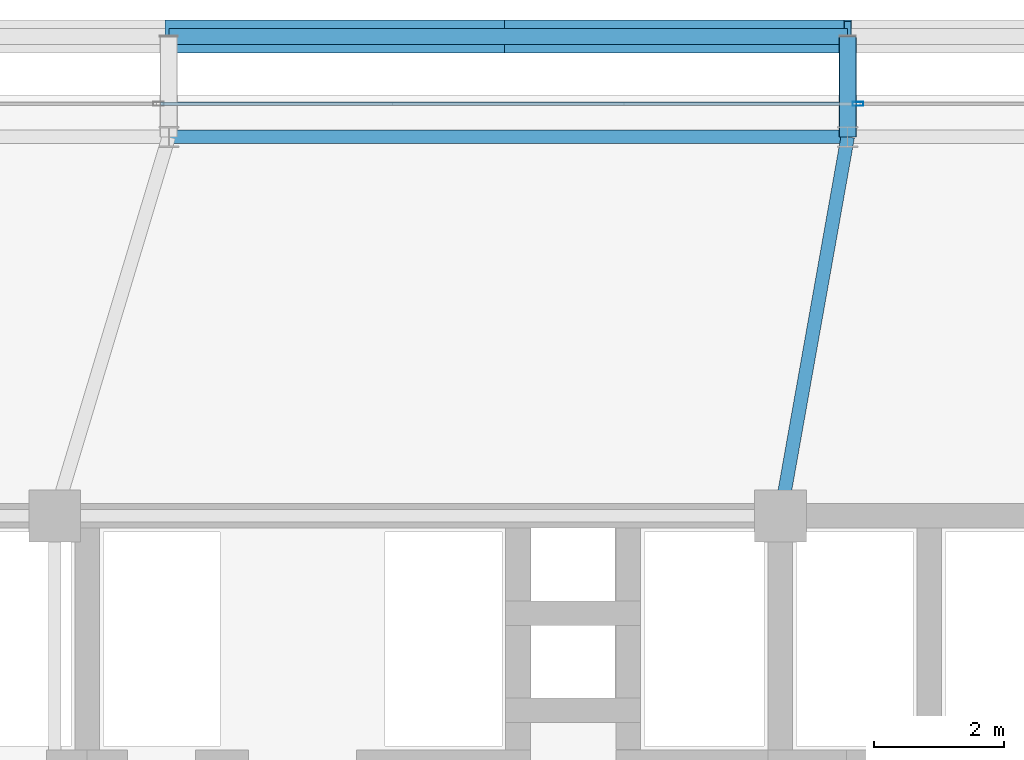
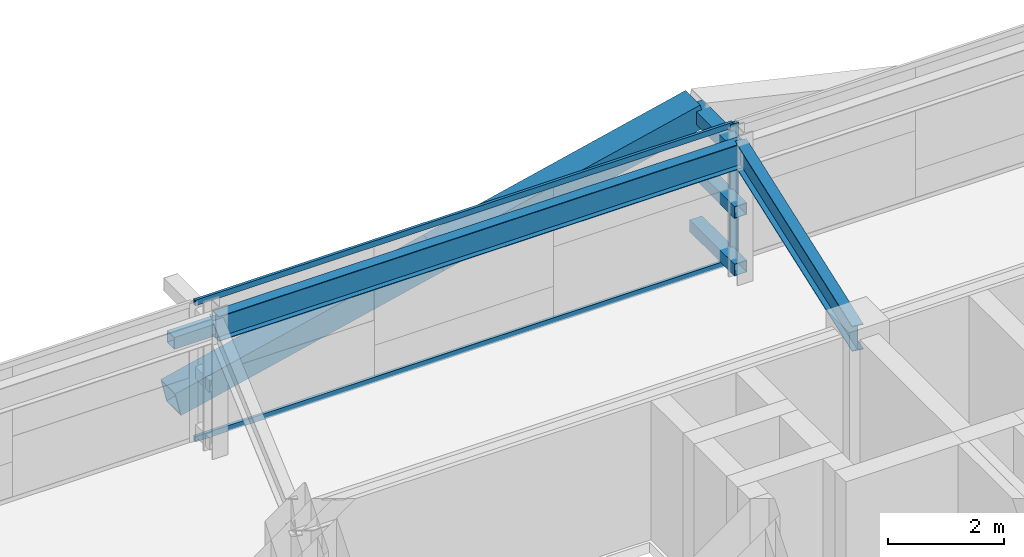
# One storey, part 25 of 44: 9 members, 2 beams, 1 element without a shape of its own.
"""IFC4 building model written with IfcOpenShell, lengths in metres."""

import ifcopenshell
import ifcopenshell.guid

model = None  # the IFC model being written
_history = None  # IfcOwnerHistory: only IFC2X3 demands one
_inside = {}  # id of a spatial element -> (the spatial element, [elements in it])
_under = {}  # id of a project, library or spatial element -> (it, [spatial elements below it])
_declared = {}  # id of a project -> (the project, [libraries it declares])
_typed = {}  # id of a type object -> (the type object, [elements of that type])
_made_of = {}  # id of a material, layer set ... -> (it, [elements and type objects made of it])


def new_model(schema):
    """Start an empty IFC model of exactly this schema.

    Asked for "IFC4X3", IfcOpenShell would pick the latest addendum, in which some entities
    have other attributes; the version numbers below select the first issue.
    IFC2X3 requires an IfcOwnerHistory on every rooted entity: one is made here for all.
    """
    global model, _history
    if schema == "IFC4X3":
        model = ifcopenshell.file(schema_version=(4, 3, 0, 0))
    else:
        model = ifcopenshell.file(schema=schema)
    _inside.clear()
    _under.clear()
    _declared.clear()
    _typed.clear()
    _made_of.clear()
    _history = None
    if model.schema == "IFC2X3":
        org = make("IfcOrganization", Name="unknown")
        user = make(
            "IfcPersonAndOrganization",
            ThePerson=make("IfcPerson", FamilyName="unknown"),
            TheOrganization=org,
        )
        app = make(
            "IfcApplication",
            ApplicationDeveloper=org,
            Version="unknown",
            ApplicationFullName="unknown",
            ApplicationIdentifier="unknown",
        )
        _history = make(
            "IfcOwnerHistory",
            OwningUser=user,
            OwningApplication=app,
            ChangeAction="ADDED",
            CreationDate=0,
        )
    return model


def make(cls, **values):
    """One entity of the class cls with the attributes given. An attribute that is None is left unset."""
    return model.create_entity(
        cls, **{name: value for name, value in values.items() if value is not None}
    )


def rooted(cls, **values):
    """An entity with a GlobalId (a new one), such as an element, a storey or a relation."""
    return make(cls, GlobalId=ifcopenshell.guid.new(), OwnerHistory=_history, **values)


def si_unit(unit_type, name, prefix=None):
    """IfcSIUnit, for example si_unit("LENGTHUNIT", "METRE", prefix="MILLI")."""
    return make("IfcSIUnit", UnitType=unit_type, Prefix=prefix, Name=name)


def assignment(units):
    """IfcUnitAssignment: the units of a project."""
    return None if units is None else make("IfcUnitAssignment", Units=units)


def point(xyz):
    """IfcCartesianPoint."""
    return None if xyz is None else make("IfcCartesianPoint", Coordinates=xyz)


def direction(xyz):
    """IfcDirection."""
    return None if xyz is None else make("IfcDirection", DirectionRatios=xyz)


def frame(location, z_axis=None, x_axis=None):
    """IfcAxis2Placement3D, a coordinate frame: its origin and axes. An axis left out is left unset."""
    return make(
        "IfcAxis2Placement3D",
        Location=point(location),
        Axis=direction(z_axis),
        RefDirection=direction(x_axis),
    )


def frame_2d(location, x_axis=None):
    """IfcAxis2Placement2D, a coordinate frame in the plane: its origin and x axis."""
    return make(
        "IfcAxis2Placement2D", Location=point(location), RefDirection=direction(x_axis)
    )


def origin():
    """The frame at (0, 0, 0) with its axes left unset."""
    return frame((0.0, 0.0, 0.0))


def origin_2d():
    """The frame at (0, 0) in the plane with its x axis left unset."""
    return frame_2d((0.0, 0.0))


def place(relative_to, where):
    """IfcLocalPlacement: puts the frame where relative to a parent placement (None: the world)."""
    return make(
        "IfcLocalPlacement", PlacementRelTo=relative_to, RelativePlacement=where
    )


def context(
    kind, dimensions, precision=None, world=None, true_north=None, identifier=None
):
    """IfcGeometricRepresentationContext, for example the 3D "Model" context."""
    return make(
        "IfcGeometricRepresentationContext",
        ContextIdentifier=identifier,
        ContextType=kind,
        CoordinateSpaceDimension=dimensions,
        Precision=precision,
        WorldCoordinateSystem=world,
        TrueNorth=true_north,
    )


def subcontext(parent, identifier, kind, view, scale=None):
    """IfcGeometricRepresentationSubContext, for example "Body" below "Model"."""
    return make(
        "IfcGeometricRepresentationSubContext",
        ContextIdentifier=identifier,
        ContextType=kind,
        ParentContext=parent,
        TargetScale=scale,
        TargetView=view,
    )


def project(units=None, contexts=None):
    """IfcProject with its units and contexts."""
    return rooted(
        "IfcProject",
        Name="project",
        RepresentationContexts=contexts,
        UnitsInContext=assignment(units),
    )


def spatial(cls, under=None, at=None, **own):
    """A site, building, storey or space (cls), placed at a placement, below another one or the project."""
    s = rooted(cls, ObjectPlacement=at, **own)
    if under is not None:
        _under.setdefault(under.id(), (under, []))[1].append(s)
    return s


def profile(cls, at=None, kind="AREA", **sizes):
    """A parametric profile (cls). Its sizes go by their IFC names, for example OverallWidth=200.0."""
    return make(cls, ProfileType=kind, Position=at, **sizes)


def hollow_rectangle(**sizes):
    """IfcRectangleHollowProfileDef."""
    return profile("IfcRectangleHollowProfileDef", **sizes)


def i_section(**sizes):
    """IfcIShapeProfileDef."""
    return profile("IfcIShapeProfileDef", **sizes)


def extrude(swept, where, along, depth):
    """IfcExtrudedAreaSolid: the profile swept, set in the frame where, extruded along a direction by depth."""
    return make(
        "IfcExtrudedAreaSolid",
        SweptArea=swept,
        Position=where,
        ExtrudedDirection=direction(along),
        Depth=depth,
    )


def shape(context_of_items, identifier, shape_type, items):
    """IfcShapeRepresentation: the items that make up one representation, for example the "Body"."""
    return make(
        "IfcShapeRepresentation",
        ContextOfItems=context_of_items,
        RepresentationIdentifier=identifier,
        RepresentationType=shape_type,
        Items=items,
    )


def source(mapping_origin, context_of_items, identifier, shape_type, items):
    """IfcRepresentationMap: a shape defined once, which mapped items show again and again."""
    return make(
        "IfcRepresentationMap",
        MappingOrigin=mapping_origin,
        MappedRepresentation=shape(context_of_items, identifier, shape_type, items),
    )


def transform(
    local_origin,
    x_axis=None,
    y_axis=None,
    z_axis=None,
    scale=None,
    scale2=None,
    scale3=None,
    uniform=True,
):
    """IfcCartesianTransformationOperator3D, or its non-uniform kind. x_axis, y_axis, z_axis: its Axis1, 2, 3."""
    if uniform:
        return make(
            "IfcCartesianTransformationOperator3D",
            Axis1=direction(x_axis),
            Axis2=direction(y_axis),
            LocalOrigin=point(local_origin),
            Scale=scale,
            Axis3=direction(z_axis),
        )
    return make(
        "IfcCartesianTransformationOperator3DnonUniform",
        Axis1=direction(x_axis),
        Axis2=direction(y_axis),
        LocalOrigin=point(local_origin),
        Scale=scale,
        Axis3=direction(z_axis),
        Scale2=scale2,
        Scale3=scale3,
    )


def mapped(mapping_source, mapping_target):
    """IfcMappedItem: shows the shape of a source again, moved by a transform."""
    return make(
        "IfcMappedItem", MappingSource=mapping_source, MappingTarget=mapping_target
    )


def material(Name=None, Category=None):
    """IfcMaterial."""
    return make("IfcMaterial", Name=Name, Category=Category)


def layer(
    of_material, thickness, ventilated=None, Name=None, Category=None, Priority=None
):
    """IfcMaterialLayer: one layer of a wall or slab, of a material (None: an air gap)."""
    return make(
        "IfcMaterialLayer",
        Material=of_material,
        LayerThickness=thickness,
        IsVentilated=ventilated,
        Name=Name,
        Category=Category,
        Priority=Priority,
    )


def layer_set(layers, Name=None):
    """IfcMaterialLayerSet."""
    return make("IfcMaterialLayerSet", MaterialLayers=layers, LayerSetName=Name)


def material_profile(
    of_material, cross_section, Name=None, Category=None, Priority=None
):
    """IfcMaterialProfile: a cross section and its material."""
    return make(
        "IfcMaterialProfile",
        Name=Name,
        Material=of_material,
        Profile=cross_section,
        Priority=Priority,
        Category=Category,
    )


def profile_set(profiles, Name=None, composite=None):
    """IfcMaterialProfileSet."""
    return make(
        "IfcMaterialProfileSet",
        Name=Name,
        MaterialProfiles=profiles,
        CompositeProfile=composite,
    )


def made_of(thing, what):
    """Note that an element or type object is made of a material, layer set ...; save() writes the relation."""
    if what is not None:
        _made_of.setdefault(what.id(), (what, []))[1].append(thing)
    return thing


def type_object(cls, material=None, **own):
    """A type object (cls), such as IfcWallType, which elements share."""
    return made_of(rooted(cls, **own), material)


def element(
    cls,
    number,
    at=None,
    inside=None,
    cuts=None,
    type_object=None,
    material=None,
    context=None,
    identifier="Body",
    shape_type=None,
    held_by="IfcProductDefinitionShape",
    body=None,
    shapes=None,
    **own,
):
    """One element of the class cls, such as IfcWall. Its Tag is "e" and its number.

    at: its placement. inside: the storey or other place that contains it. cuts: it is an
    opening in that element (IfcRelVoidsElement). A single representation is given by context,
    identifier, shape_type and body (its items); several are given by shapes. held_by: the class
    of the entity that holds the representations. save() writes the other relations.
    """
    e = rooted(cls, Tag="e%d" % number, ObjectPlacement=at, **own)
    if body is not None:
        shapes = [shape(context, identifier, shape_type, body)]
    if shapes is not None:
        e.Representation = make(held_by, Representations=shapes)
    if inside is not None:
        _inside.setdefault(inside.id(), (inside, []))[1].append(e)
    if cuts is not None:
        rooted(
            "IfcRelVoidsElement", RelatingBuildingElement=cuts, RelatedOpeningElement=e
        )
    if type_object is not None:
        _typed.setdefault(type_object.id(), (type_object, []))[1].append(e)
    return made_of(e, material)


def aggregate(whole, parts):
    """IfcRelAggregates: a whole, such as a stair, and the parts it consists of."""
    return rooted("IfcRelAggregates", RelatingObject=whole, RelatedObjects=parts)


def save(model, path):
    """Write the relations noted so far, then the file.

    IfcRelAggregates (storeys below a building ...), IfcRelContainedInSpatialStructure (elements
    in a storey), IfcRelDefinesByType, IfcRelAssociatesMaterial and IfcRelDeclares: one each for
    every whole, place, type object, material and project.
    """
    for whole, parts in _under.values():
        aggregate(whole, parts)
    for where, things in _inside.values():
        rooted(
            "IfcRelContainedInSpatialStructure",
            RelatedElements=things,
            RelatingStructure=where,
        )
    for kind, things in _typed.values():
        rooted("IfcRelDefinesByType", RelatedObjects=things, RelatingType=kind)
    for what, things in _made_of.values():
        rooted("IfcRelAssociatesMaterial", RelatedObjects=things, RelatingMaterial=what)
    for by, libraries in _declared.values():
        rooted("IfcRelDeclares", RelatingContext=by, RelatedDefinitions=libraries)
    model.write(path)


model = new_model("IFC4")

# Units and contexts
model_context = context("Model", 3, precision=1e-05, world=origin(), true_north=direction((0.0, 1.0)))
body_context = subcontext(model_context, "Body", "Model", "MODEL_VIEW")
ifc_project = project(units=[si_unit("LENGTHUNIT", "METRE"), si_unit("AREAUNIT", "SQUARE_METRE"), si_unit("VOLUMEUNIT", "CUBIC_METRE"), si_unit("PLANEANGLEUNIT", "RADIAN"), si_unit("MASSUNIT", "GRAM", prefix="KILO")], contexts=[model_context])

# Site, building, storey
site_placement = place(None, origin())
site = spatial("IfcSite", under=ifc_project, at=site_placement, CompositionType="ELEMENT")
building_placement = place(site_placement, origin())
building = spatial("IfcBuilding", under=site, at=building_placement, Name="Taldren Reach Tower", CompositionType="ELEMENT")
storey_placement = place(building_placement, frame((0.0, 0.0, 42.0)))
storey = spatial("IfcBuildingStorey", under=building, at=storey_placement, Name="L12", CompositionType="ELEMENT", Elevation=42.0)

# Beams
ifc_material_1 = material(Name="Steel Gr 350 (350PLUS)", Category="steel")
ifc_material_profile_1 = material_profile(ifc_material_1, i_section(OverallWidth=0.208984375, OverallDepth=0.528076171875, WebThickness=0.009521484375, FlangeThickness=0.01318359375, at=origin_2d()), Name="530UB82.0")
ifc_profile_set_1 = profile_set([ifc_material_profile_1], Name="Steel Gr 350 (350PLUS)")
beam_type_1 = type_object("IfcBeamType", Name="SP-UB530B", PredefinedType="SPANDREL", material=ifc_profile_set_1)
shared_shape_1 = source(origin(), body_context, "Body", "SweptSolid", [
    extrude(i_section(OverallWidth=0.208984375, OverallDepth=0.528076171875, WebThickness=0.009521484375, FlangeThickness=0.01318359375, at=origin_2d()), origin(), (0.0, 0.0, 1.0), 10.47998046875),
])
beam_1_placement = place(storey_placement, frame((40.239990234375, 37.85009765625, 2.666015625), z_axis=(-1.0, 0.0, 0.0), x_axis=(0.0, -1.0, 0.0)))
element("IfcBeam", 1, at=beam_1_placement, inside=storey, type_object=beam_type_1, Name="Perimeter spandrel B1 N4-N3 L12", PredefinedType="SPANDREL", context=body_context, shape_type="MappedRepresentation", body=[
    mapped(shared_shape_1, transform((0.0, 0.0, 0.0), scale=1.0)),
])
ifc_material_profile_2 = material_profile(ifc_material_1, i_section(OverallWidth=0.208984375, OverallDepth=0.532958984375, WebThickness=0.01025390625, FlangeThickness=0.015625, at=origin_2d()), Name="530UB92.4")
ifc_profile_set_2 = profile_set([ifc_material_profile_2], Name="Steel Gr 350 (350PLUS)")
beam_type_2 = type_object("IfcBeamType", Name="BM-UB530A", PredefinedType="BEAM", material=ifc_profile_set_2)
shared_shape_2 = source(origin(), body_context, "Body", "SweptSolid", [
    extrude(i_section(OverallWidth=0.208984375, OverallDepth=0.532958984375, WebThickness=0.01025390625, FlangeThickness=0.015625, at=origin_2d()), origin(), (0.0, 0.0, 1.0), 5.94189453125),
])
beam_2_placement = place(storey_placement, frame((39.199951171875, 32.0, 2.66357421875), z_axis=(0.17503687513, 0.984561878373, 0.0), x_axis=(-0.984561878373, 0.17503687513, 0.0)))
element("IfcBeam", 2, at=beam_2_placement, inside=storey, type_object=beam_type_2, Name="Primary floor girder B1-N4 L12", PredefinedType="BEAM", context=body_context, shape_type="MappedRepresentation", body=[
    mapped(shared_shape_2, transform((0.0, 0.0, 0.0), scale=1.0)),
])

# Members
ifc_material_2 = material(Name="Steel Gr 450 (C450L0)", Category="steel")
ifc_material_profile_3 = material_profile(ifc_material_2, hollow_rectangle(XDim=0.27490234375, YDim=0.27490234375, WallThickness=0.00927734375, at=origin_2d()), Name="275x275x9.3SHS")
ifc_profile_set_3 = profile_set([ifc_material_profile_3], Name="Steel Gr 450 (C450L0)")
member_type_1 = type_object("IfcMemberType", Name="MB-TIE273", PredefinedType="STRUT", material=ifc_profile_set_3)
shared_shape_3 = source(origin(), body_context, "Body", "SweptSolid", [
    extrude(hollow_rectangle(XDim=0.27490234375, YDim=0.27490234375, WallThickness=0.00927734375, at=origin_2d()), origin(), (0.0, 0.0, 1.0), 1.5498046875),
])
member_1_placement = place(storey_placement, frame((40.239990234375, 37.85009765625, 2.64990234375), z_axis=(0.0, 1.0, 0.0), x_axis=(-1.0, 0.0, 0.0)))
element("IfcMember", 3, at=member_1_placement, inside=storey, type_object=member_type_1, Name="Exoskeleton diaphragm tie strut B1-N4 L12", PredefinedType="STRUT", context=body_context, shape_type="MappedRepresentation", body=[
    mapped(shared_shape_3, transform((0.0, 0.0, 0.0), scale=1.0)),
])
ifc_material_profile_4 = material_profile(ifc_material_2, hollow_rectangle(XDim=0.510009765625, YDim=0.510009765625, WallThickness=0.02001953125, at=origin_2d()), Name="510x510x20.0SHS")
ifc_profile_set_4 = profile_set([ifc_material_profile_4], Name="Steel Gr 450 (C450L0)")
member_type_2 = type_object("IfcMemberType", Name="MB-EXO508", PredefinedType="BRACE", material=ifc_profile_set_4)
shared_shape_4 = source(origin(), body_context, "Body", "SweptSolid", [
    extrude(hollow_rectangle(XDim=0.510009765625, YDim=0.510009765625, WallThickness=0.02001953125, at=origin_2d()), origin(), (0.0, 0.0, 1.0), 5.37890625),
])
for number, where, z_axis, x_axis, name in (
    (4, (29.760009765625, 39.39990234375, 0.219970703125), (0.97415197996, 0.0, 0.225893603143), (0.0, 1.0, 0.0), "Exoskeleton Diagrid Brace B1-N3 L12"),
    (5, (35.0, 39.39990234375, 1.43505859375), (0.974161966843, 0.0, 0.225850531007), (0.0, 1.0, 0.0), "Exoskeleton Diagrid Brace B1-N3 L12"),
):
    element("IfcMember", number, at=place(storey_placement, frame(where, z_axis=z_axis, x_axis=x_axis)), inside=storey, type_object=member_type_2, Name=name, PredefinedType="BRACE", context=body_context, shape_type="MappedRepresentation", body=[
        mapped(shared_shape_4, transform((0.0, 0.0, 0.0), scale=1.0)),
    ])
ifc_material_3 = material(Name="Steel Gr 350 (C350L0)", Category="steel")
ifc_material_profile_5 = material_profile(ifc_material_3, hollow_rectangle(XDim=0.25, YDim=0.25, WallThickness=0.010009765625, at=origin_2d()), Name="250x250x10.0SHS")
ifc_profile_set_5 = profile_set([ifc_material_profile_5], Name="Steel Gr 350 (C350L0)")
member_type_3 = type_object("IfcMemberType", Name="MB-POST250", PredefinedType="POST", material=ifc_profile_set_5)
shared_shape_5 = source(origin(), body_context, "Body", "SweptSolid", [
    extrude(hollow_rectangle(XDim=0.25, YDim=0.25, WallThickness=0.010009765625, at=origin_2d()), origin(), (0.0, 0.0, 1.0), 10.47998046875),
])
member_2_placement = place(storey_placement, frame((29.760009765625, 39.39990234375, 1.43505859375), z_axis=(1.0, 0.0, 0.0), x_axis=(0.0, 1.0, 0.0)))
element("IfcMember", 6, at=member_2_placement, inside=storey, type_object=member_type_3, Name="Exoskeleton mid-height ring chord B1-N3 L12", PredefinedType="POST", context=body_context, shape_type="MappedRepresentation", body=[
    mapped(shared_shape_5, transform((0.0, 0.0, 0.0), scale=1.0)),
])
shared_shape_6 = source(origin(), body_context, "Body", "SweptSolid", [
    extrude(hollow_rectangle(XDim=0.25, YDim=0.25, WallThickness=0.010009765625, at=origin_2d()), origin(), (0.0, 0.0, 1.0), 1.5498046875),
])
for number, where, z_axis, x_axis, name in (
    (7, (40.239990234375, 37.85009765625, 0.219970703125), (0.0, 1.0, 0.0), (-1.0, 0.0, 0.0), "Exoskeleton base diaphragm tie strut B1-N4 L12"),
    (8, (40.239990234375, 37.85009765625, 1.43505859375), (0.0, 1.0, 0.0), (-1.0, 0.0, 0.0), "Exoskeleton mid-tier diaphragm tie B1-N4 L12"),
):
    element("IfcMember", number, at=place(storey_placement, frame(where, z_axis=z_axis, x_axis=x_axis)), inside=storey, type_object=member_type_3, Name=name, PredefinedType="POST", context=body_context, shape_type="MappedRepresentation", body=[
        mapped(shared_shape_6, transform((0.0, 0.0, 0.0), scale=1.0)),
    ])

# Curtain wall, members
ifc_material_4 = material(Name="Aluminium and Low-E Glass Unitised System", Category="aluminium")
ifc_layer = layer(ifc_material_4, 0.159912109375)
ifc_layer_set = layer_set([ifc_layer], Name="Aluminium and Low-E Glass Unitised System")
curtain_wall_type = type_object("IfcCurtainWallType", Name="CW-SYS-2", PredefinedType="NOTDEFINED", material=ifc_layer_set)
curtain_wall_placement = place(storey_placement, origin())
curtain_wall = element("IfcCurtainWall", 9, at=curtain_wall_placement, inside=storey, type_object=curtain_wall_type, Name="Unitised curtain wall CW-L12-N", PredefinedType="NOTDEFINED")
ifc_material_5 = material(Name="Anodised Aluminium 6063-T6", Category="aluminium")
ifc_material_profile_6 = material_profile(ifc_material_5, hollow_rectangle(XDim=0.06494140625, YDim=0.1650390625, WallThickness=0.00390625, at=origin_2d()), Name="ALU-165x65x4RHS")
ifc_profile_set_6 = profile_set([ifc_material_profile_6], Name="Anodised Aluminium 6063-T6")
member_type_4 = type_object("IfcMemberType", Name="CW-MUL-165", PredefinedType="MULLION", material=ifc_profile_set_6)
shared_shape_7 = source(origin(), body_context, "Body", "SweptSolid", [
    extrude(hollow_rectangle(XDim=0.06494140625, YDim=0.1650390625, WallThickness=0.00390625, at=origin_2d()), origin(), (0.0, 0.0, 1.0), 2.929931640625),
])
member_3_placement = place(storey_placement, frame((40.39990234375, 38.360107421875, 0.0), z_axis=(0.0, 0.0, 1.0), x_axis=(0.0, -1.0, 0.0)))
member_3 = element("IfcMember", 10, at=member_3_placement, type_object=member_type_4, Name="CW-2 mullion 3", PredefinedType="MULLION", context=body_context, shape_type="MappedRepresentation", body=[
    mapped(shared_shape_7, transform((0.0, 0.0, 0.0), scale=1.0)),
])
ifc_material_profile_7 = material_profile(ifc_material_5, hollow_rectangle(XDim=0.054931640625, YDim=0.1201171875, WallThickness=0.0029296875, at=origin_2d()), Name="ALU-120x55x3RHS")
ifc_profile_set_7 = profile_set([ifc_material_profile_7], Name="Anodised Aluminium 6063-T6")
member_type_5 = type_object("IfcMemberType", Name="CW-TRN-135", PredefinedType="USERDEFINED", material=ifc_profile_set_7)
shared_shape_8 = source(origin(), body_context, "Body", "SweptSolid", [
    extrude(hollow_rectangle(XDim=0.054931640625, YDim=0.1201171875, WallThickness=0.0029296875, at=origin_2d()), origin(), (0.0, 0.0, 1.0), 10.73486328125),
])
member_4_placement = place(storey_placement, frame((40.367431640625, 38.360107421875, 0.027587890625), z_axis=(-1.0, 0.0, 0.0), x_axis=(0.0, -1.0, 0.0)))
member_4 = element("IfcMember", 11, at=member_4_placement, type_object=member_type_5, Name="CW-2 transom 3.1", ObjectType="TRANSOM", PredefinedType="USERDEFINED", context=body_context, shape_type="MappedRepresentation", body=[
    mapped(shared_shape_8, transform((0.0, 0.0, 0.0), scale=1.0)),
])
member_5_placement = place(storey_placement, frame((40.367431640625, 38.360107421875, 2.902587890625), z_axis=(-1.0, 0.0, 0.0), x_axis=(0.0, -1.0, 0.0)))
member_5 = element("IfcMember", 12, at=member_5_placement, type_object=member_type_5, Name="CW-2 transom 3.2", ObjectType="TRANSOM", PredefinedType="USERDEFINED", context=body_context, shape_type="MappedRepresentation", body=[
    mapped(shared_shape_8, transform((0.0, 0.0, 0.0), scale=1.0)),
])
aggregate(curtain_wall, [member_3, member_4, member_5])

save(model, "model.ifc")
